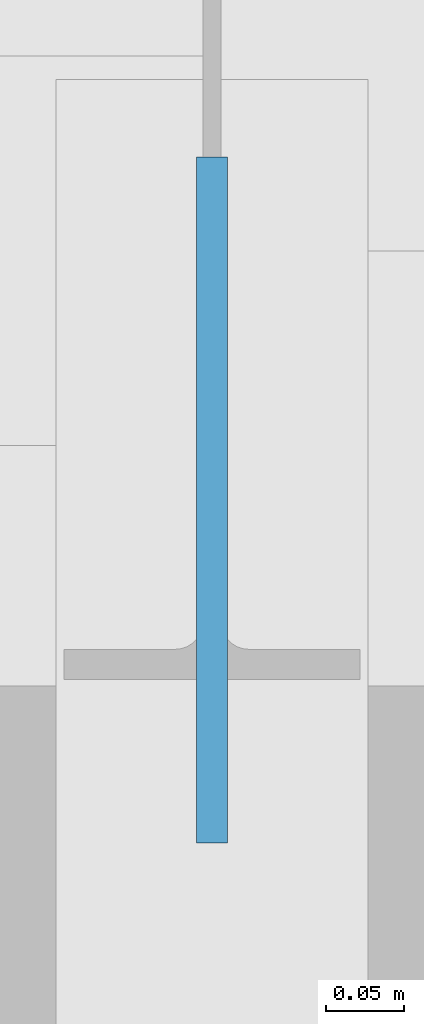
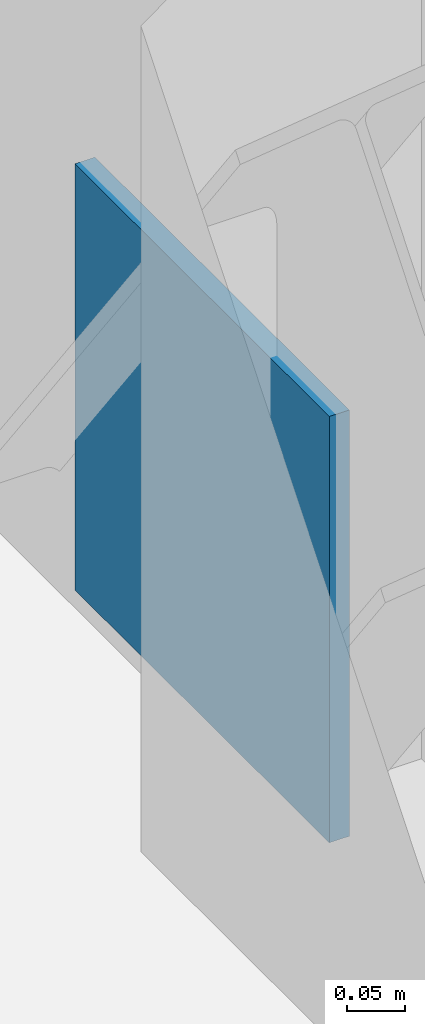
# One storey, part 68 of 84: 1 discrete accessory.
"""IFC4 building model written with IfcOpenShell, lengths in metres."""

from ifc_helpers import new_model, si_unit, direction, frame, origin, origin_2d, place, context, subcontext, project, spatial, rectangle, extrude, material, layer, layer_set, type_object, element, save


model = new_model("IFC4")

# Units and contexts
model_context = context("Model", 3, precision=1e-05, world=origin(), true_north=direction((0.0, 1.0)))
body_context = subcontext(model_context, "Body", "Model", "MODEL_VIEW")
ifc_project = project(units=[si_unit("LENGTHUNIT", "METRE"), si_unit("AREAUNIT", "SQUARE_METRE"), si_unit("VOLUMEUNIT", "CUBIC_METRE"), si_unit("PLANEANGLEUNIT", "RADIAN"), si_unit("MASSUNIT", "GRAM", prefix="KILO")], contexts=[model_context])

# Site, building, storey
site_placement = place(None, origin())
site = spatial("IfcSite", under=ifc_project, at=site_placement, CompositionType="ELEMENT")
building_placement = place(site_placement, origin())
building = spatial("IfcBuilding", under=site, at=building_placement, Name="Varnakota Square Police Headquarters", CompositionType="ELEMENT")
storey_placement = place(building_placement, frame((0.0, 0.0, 13.5)))
storey = spatial("IfcBuildingStorey", under=building, at=storey_placement, Name="L03", CompositionType="ELEMENT", Elevation=13.5)

# Discrete accessory
ifc_material = material(Name="Steel IS 2062 Grade 350", Category="steel")
ifc_layer = layer(ifc_material, 0.64990234375, Name="Steel IS 2062 Grade 350")
ifc_layer_set = layer_set([ifc_layer], Name="Steel IS 2062 Grade 350")
discrete_accessory_type = type_object("IfcDiscreteAccessoryType", Name="ACC-EMB-350", PredefinedType="BRACKET", material=ifc_layer_set)
discrete_accessory_placement = place(storey_placement, frame((42.0, 32.840087890625, 0.02490234375), z_axis=(0.0, 0.0, 1.0), x_axis=(0.0, 1.0, 0.0)))
element("IfcDiscreteAccessory", 1, at=discrete_accessory_placement, inside=storey, type_object=discrete_accessory_type, Name="Brace gusset connection plate BF3 L03 R", PredefinedType="BRACKET", context=body_context, shape_type="SweptSolid", body=[
    extrude(rectangle(XDim=0.43994140625, YDim=0.02001953125, at=origin_2d()), origin(), (0.0, 0.0, 1.0), 0.449951171875),
])

save(model, "model.ifc")
